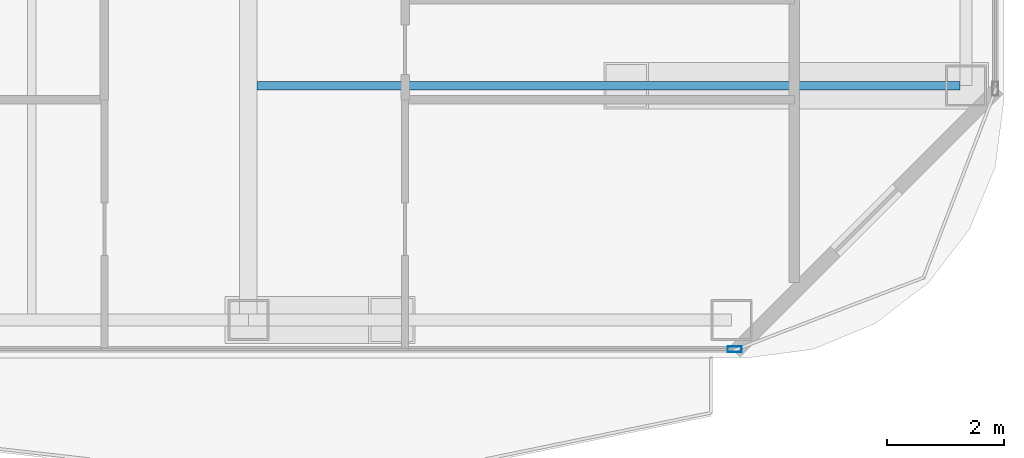
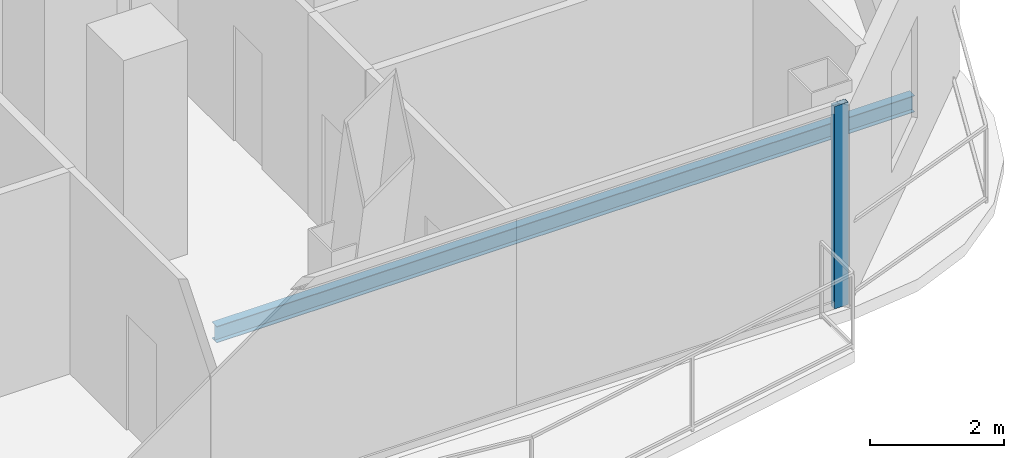
# One storey, part 9 of 32: 1 beam, 1 member, 1 element without a shape of its own.
"""IFC4 building model written with IfcOpenShell, lengths in metres."""

from ifc_helpers import new_model, si_unit, direction, frame, origin, origin_2d, place, context, subcontext, project, spatial, hollow_rectangle, i_section, extrude, material, layer, layer_set, material_profile, profile_set, type_object, element, aggregate, save


model = new_model("IFC4")

# Units and contexts
model_context = context("Model", 3, precision=1e-05, world=origin(), true_north=direction((0.0, 1.0)))
body_context = subcontext(model_context, "Body", "Model", "MODEL_VIEW")
ifc_project = project(units=[si_unit("LENGTHUNIT", "METRE"), si_unit("AREAUNIT", "SQUARE_METRE"), si_unit("VOLUMEUNIT", "CUBIC_METRE"), si_unit("PLANEANGLEUNIT", "RADIAN"), si_unit("MASSUNIT", "GRAM", prefix="KILO")], contexts=[model_context])

# Site, building, storey
site_placement = place(None, origin())
site = spatial("IfcSite", under=ifc_project, at=site_placement, CompositionType="ELEMENT")
building_placement = place(site_placement, origin())
building = spatial("IfcBuilding", under=site, at=building_placement, Name="Khorvyn Point Tower", CompositionType="ELEMENT")
storey_placement = place(building_placement, frame((0.0, 0.0, 148.5)))
storey = spatial("IfcBuildingStorey", under=building, at=storey_placement, Name="L37", CompositionType="ELEMENT", Elevation=148.5)

# Curtain wall, member
ifc_material_1 = material(Name="Anodised aluminium 6063-T6 and laminated Low-E glass", Category="aluminium")
ifc_layer = layer(ifc_material_1, 0.18994140625)
ifc_layer_set = layer_set([ifc_layer], Name="Stick-Built Acoustic Curtain Wall CW-SYS-03")
curtain_wall_type = type_object("IfcCurtainWallType", Name="Stick-Built Acoustic Curtain Wall CW-SYS-03", PredefinedType="NOTDEFINED", material=ifc_layer_set)
curtain_wall_placement = place(storey_placement, origin())
curtain_wall = element("IfcCurtainWall", 1, at=curtain_wall_placement, inside=storey, type_object=curtain_wall_type, Name="Curtain Wall", PredefinedType="NOTDEFINED")
ifc_material_2 = material(Name="Anodised aluminium 6063-T6", Category="aluminium")
ifc_material_profile_1 = material_profile(ifc_material_2, hollow_rectangle(XDim=0.10009765625, YDim=0.239990234375, WallThickness=0.0048828125, at=origin_2d()))
ifc_profile_set_1 = profile_set([ifc_material_profile_1], Name="Anodised aluminium 6063-T6 ALU-MUL-100x240")
member_type = type_object("IfcMemberType", Name="Anodised Aluminium 6063-T6 Mullion ALU-MUL-100x240", PredefinedType="MULLION", material=ifc_profile_set_1)
member_placement = place(storey_placement, frame((23.10009765625, -23.64990234375, 0.0), z_axis=(0.0, 0.0, 1.0), x_axis=(0.0, -1.0, 0.0)))
member = element("IfcMember", 2, at=member_placement, type_object=member_type, Name="Transom", PredefinedType="MULLION", context=body_context, shape_type="SweptSolid", body=[
    extrude(hollow_rectangle(XDim=0.10009765625, YDim=0.239990234375, WallThickness=0.0048828125, at=origin_2d()), origin(), (0.0, 0.0, 1.0), 3.679931640625),
])
aggregate(curtain_wall, [member])

# Beam
ifc_material_3 = material(Name="Steel S355", Category="steel")
ifc_material_profile_2 = material_profile(ifc_material_3, i_section(OverallWidth=0.14990234375, OverallDepth=0.300048828125, WebThickness=0.006591796875, FlangeThickness=0.009033203125, at=origin_2d()))
ifc_profile_set_2 = profile_set([ifc_material_profile_2], Name="Steel S355 H300x150x6.5x9")
beam_type = type_object("IfcBeamType", Name="Steel S355 Joist H300x150x6.5x9", PredefinedType="JOIST", material=ifc_profile_set_2)
beam_placement = place(storey_placement, frame((14.949951171875, -19.14990234375, -0.3701171875), z_axis=(1.0, 0.0, 0.0), x_axis=(0.0, 1.0, 0.0)))
element("IfcBeam", 3, at=beam_placement, inside=storey, type_object=beam_type, Name="Beam", PredefinedType="JOIST", context=body_context, shape_type="SweptSolid", body=[
    extrude(i_section(OverallWidth=0.14990234375, OverallDepth=0.300048828125, WebThickness=0.006591796875, FlangeThickness=0.009033203125, at=origin_2d()), origin(), (0.0, 0.0, 1.0), 12.0),
])

save(model, "model.ifc")
